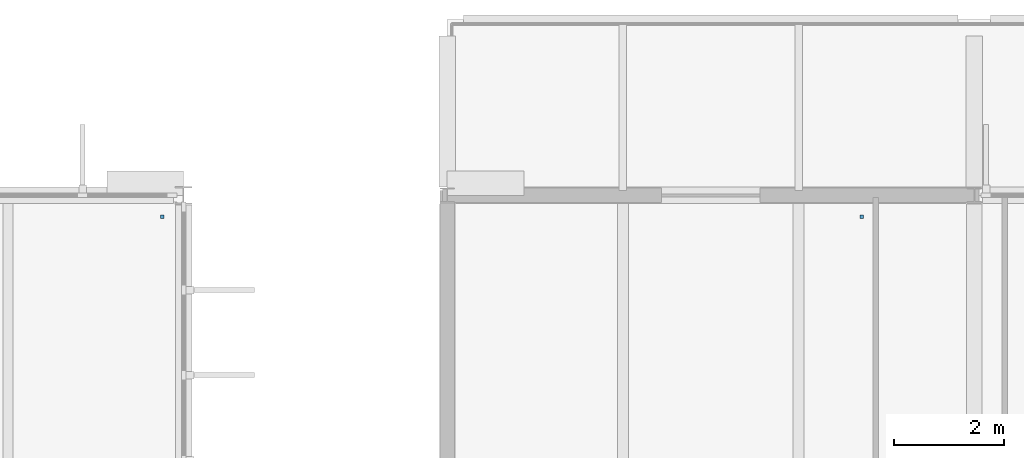
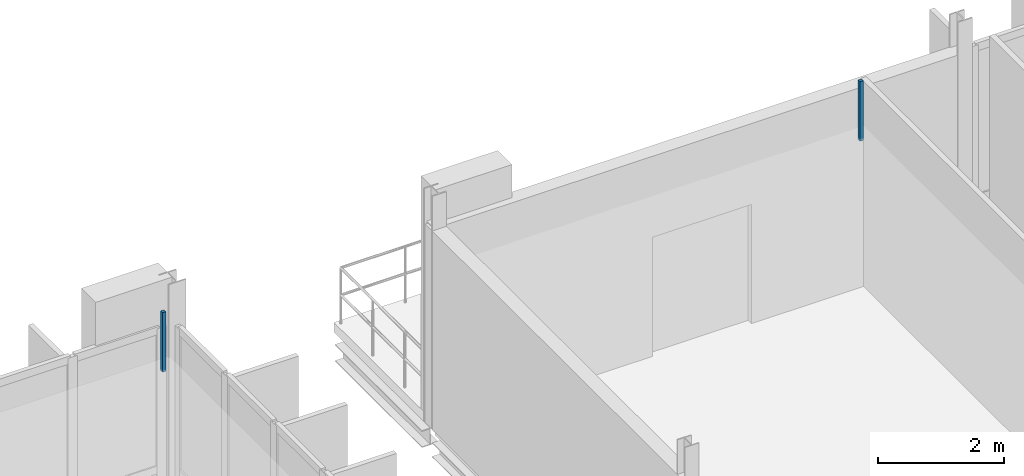
# One storey, part 68 of 93: 2 discrete accessories.
"""IFC4 building model written with IfcOpenShell, lengths in metres."""

from ifc_helpers import new_model, si_unit, direction, frame, origin, place, context, subcontext, project, spatial, polyline, outline, extrude, material, type_object, element, save


model = new_model("IFC4")

# Units and contexts
model_context = context("Model", 3, precision=1e-05, world=origin(), true_north=direction((0.0, 1.0)))
body_context = subcontext(model_context, "Body", "Model", "MODEL_VIEW")
ifc_project = project(units=[si_unit("LENGTHUNIT", "METRE"), si_unit("AREAUNIT", "SQUARE_METRE"), si_unit("VOLUMEUNIT", "CUBIC_METRE"), si_unit("PLANEANGLEUNIT", "RADIAN"), si_unit("MASSUNIT", "GRAM", prefix="KILO")], contexts=[model_context])

# Site, building, storey
site_placement = place(None, origin())
site = spatial("IfcSite", under=ifc_project, at=site_placement, CompositionType="ELEMENT")
building_placement = place(site_placement, origin())
building = spatial("IfcBuilding", under=site, at=building_placement, Name="Dunescarp Central Library", CompositionType="ELEMENT")
storey_placement = place(building_placement, frame((0.0, 0.0, 14.10009765625)))
storey = spatial("IfcBuildingStorey", under=building, at=storey_placement, Name="L03", CompositionType="ELEMENT", Elevation=14.10009765625)

# Discrete accessories
ifc_material = material(Name="Stainless steel Grade 316L", Category="steel")
discrete_accessory_type = type_object("IfcDiscreteAccessoryType", Name="ARC-ACC-BRK", PredefinedType="BRACKET", material=ifc_material)
discrete_accessory_1_placement = place(storey_placement, frame((0.0, 0.0, 3.059814453125)))
element("IfcDiscreteAccessory", 1, at=discrete_accessory_1_placement, inside=storey, type_object=discrete_accessory_type, Name="L03 ceiling hanger CLG-L03-028-H2", PredefinedType="BRACKET", context=body_context, shape_type="SweptSolid", body=[
    extrude(outline(polyline([(33.179931640625, 36.3798828125), (33.239990234375, 36.3798828125), (33.239990234375, 36.43994140625), (33.179931640625, 36.43994140625), (33.179931640625, 36.3798828125)])), origin(), (0.0, 0.0, 1.0), 1.150146484375),
])
discrete_accessory_2_placement = place(storey_placement, frame((0.0, 0.0, 3.059814453125)))
element("IfcDiscreteAccessory", 2, at=discrete_accessory_2_placement, inside=storey, type_object=discrete_accessory_type, Name="L03 ceiling hanger CLG-L03-071-H2", PredefinedType="BRACKET", context=body_context, shape_type="SweptSolid", body=[
    extrude(outline(polyline([(45.919921875, 36.3798828125), (45.97998046875, 36.3798828125), (45.97998046875, 36.43994140625), (45.919921875, 36.43994140625), (45.919921875, 36.3798828125)])), origin(), (0.0, 0.0, 1.0), 1.150146484375),
])

save(model, "model.ifc")
